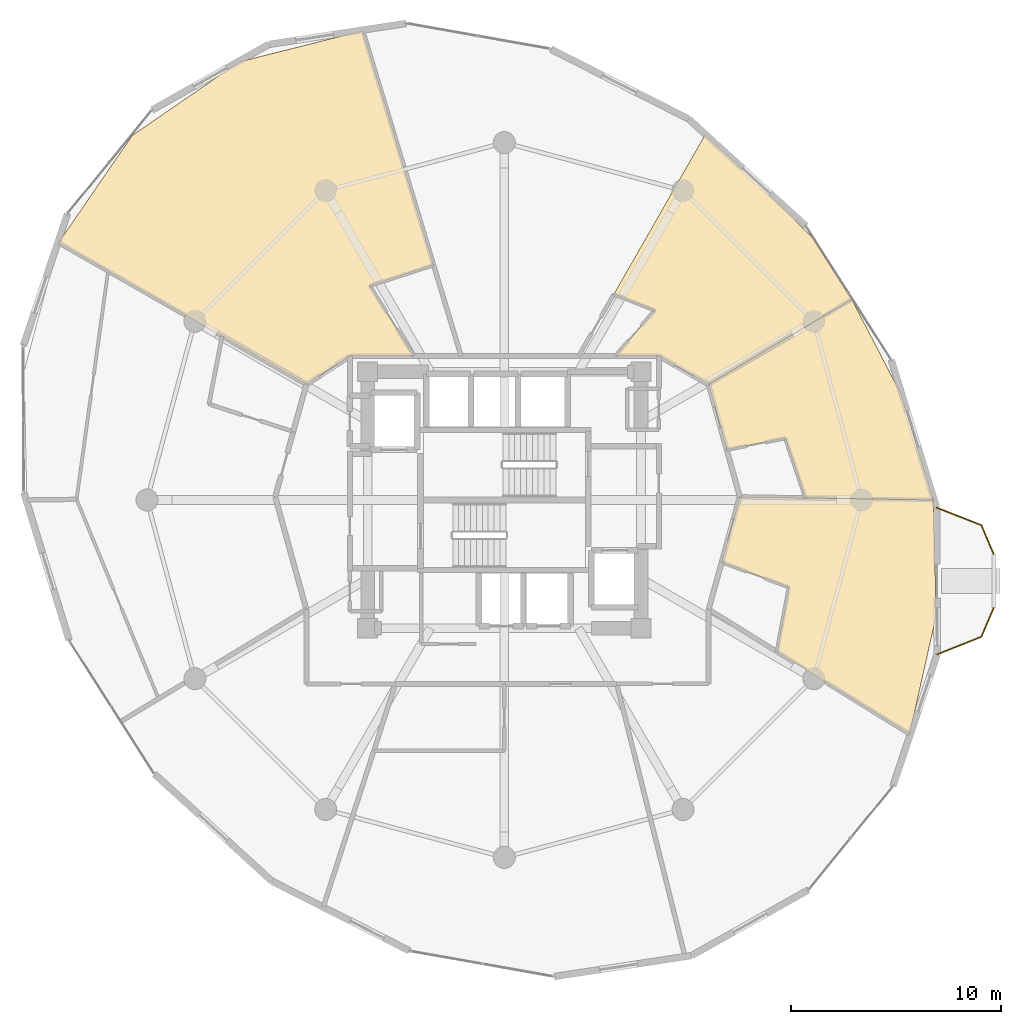
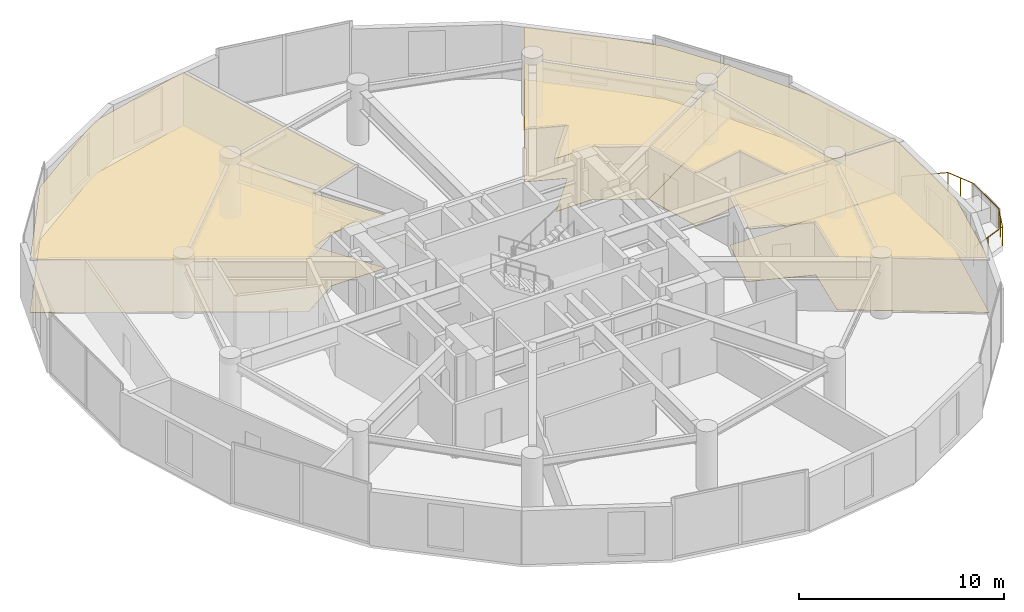
# One storey, part 22 of 22: 8 coverings, 1 railing.
"""IFC4 building model written with IfcOpenShell, lengths in metres."""

from ifc_helpers import new_model, si_unit, direction, frame, origin, origin_2d, place, context, subcontext, project, spatial, polyline, circle, outline, extrude, material, layer, layer_set, type_object, element, save


model = new_model("IFC4")

# Units and contexts
model_context = context("Model", 3, precision=1e-05, world=origin(), true_north=direction((0.0, 1.0)))
body_context = subcontext(model_context, "Body", "Model", "MODEL_VIEW")
ifc_project = project(units=[si_unit("LENGTHUNIT", "METRE"), si_unit("AREAUNIT", "SQUARE_METRE"), si_unit("VOLUMEUNIT", "CUBIC_METRE"), si_unit("PLANEANGLEUNIT", "RADIAN"), si_unit("MASSUNIT", "GRAM", prefix="KILO")], contexts=[model_context])

# Site, building, storey
site_placement = place(None, origin())
site = spatial("IfcSite", under=ifc_project, at=site_placement, CompositionType="ELEMENT")
building_placement = place(site_placement, origin())
building = spatial("IfcBuilding", under=site, at=building_placement, Name="Solvirekh Grand Hotel", CompositionType="ELEMENT")
storey_placement = place(building_placement, frame((0.0, 0.0, 160.199951171875)))
storey = spatial("IfcBuildingStorey", under=building, at=storey_placement, Name="L41", CompositionType="ELEMENT", Elevation=160.199951171875)

# Coverings
ifc_material_1 = material(Name="Acoustic Mineral Ceiling Tile")
ifc_layer_1 = layer(ifc_material_1, 0.02490234375)
ifc_layer_set_1 = layer_set([ifc_layer_1], Name="Acoustic Mineral Ceiling Tile")
covering_type_1 = type_object("IfcCoveringType", Name="Cov_Ceiling_Acoustic", PredefinedType="CEILING", material=ifc_layer_set_1)
covering_1_placement = place(storey_placement, frame((0.0, 0.0, 3.150146484375)))
element("IfcCovering", 1, at=covering_1_placement, inside=storey, type_object=covering_type_1, Name="L41 Deluxe Guestroom 4301 acoustic ceiling", PredefinedType="CEILING", context=body_context, shape_type="SweptSolid", body=[
    extrude(outline(polyline([(3.528076171875, 6.85009765625), (5.212890625, 9.7939453125), (7.1630859375, 9.028076171875), (5.285888671875, 6.85009765625), (7.35009765625, 6.85009765625), (9.719970703125, 5.5), (16.528076171875, 9.5419921875), (14.656982421875, 12.47412109375), (12.19189453125, 14.947998046875), (9.5458984375, 17.364990234375), (3.528076171875, 6.85009765625)])), origin(), (0.0, 0.0, 1.0), 0.017822265625),
])
covering_2_placement = place(storey_placement, frame((0.0, 0.0, 3.150146484375)))
element("IfcCovering", 2, at=covering_2_placement, inside=storey, type_object=covering_type_1, Name="L41 Deluxe Guestroom 4302 acoustic ceiling", PredefinedType="CEILING", context=body_context, shape_type="SweptSolid", body=[
    extrude(outline(polyline([(-4.30810546875, 6.85009765625), (-6.406005859375, 10.194091796875), (-3.368896484375, 11.180908203125), (-2.05810546875, 6.85009765625), (-6.739013671875, 22.319091796875), (-12.6201171875, 20.837890625), (-17.705078125, 17.337890625), (-21.2060546875, 12.243896484375), (-9.419921875, 5.5), (-7.35009765625, 6.85009765625), (-4.30810546875, 6.85009765625)])), origin(), (0.0, 0.0, 1.0), 0.017822265625),
])
covering_3_placement = place(storey_placement, frame((0.0, 0.0, 3.150146484375)))
element("IfcCovering", 3, at=covering_3_placement, inside=storey, type_object=covering_type_1, Name="L41 Deluxe Guestroom 4304 acoustic ceiling", PredefinedType="CEILING", context=body_context, shape_type="SweptSolid", body=[
    extrude(outline(polyline([(13.5419921875, -4.14404296875), (12.969970703125, -7.217041015625), (19.279052734375, -11.131103515625), (20.54296875, -5.5048828125), (20.412109375, 0.0), (11.199951171875, 0.14990234375), (10.342041015625, -2.952880859375), (13.5419921875, -4.14404296875)])), origin(), (0.0, 0.0, 1.0), 0.017822265625),
])
covering_4_placement = place(storey_placement, frame((0.0, 0.0, 3.150146484375)))
element("IfcCovering", 4, at=covering_4_placement, inside=storey, type_object=covering_type_1, Name="L41 Deluxe Guestroom 4305 acoustic ceiling", PredefinedType="CEILING", context=body_context, shape_type="SweptSolid", body=[
    extrude(outline(polyline([(13.366943359375, 2.945068359375), (14.33203125, 0.09912109375), (20.412109375, 0.0), (18.863037109375, 5.053955078125), (16.528076171875, 9.5419921875), (9.719970703125, 5.5), (10.577880859375, 2.39697265625), (13.366943359375, 2.945068359375)])), origin(), (0.0, 0.0, 1.0), 0.017822265625),
])
ifc_material_2 = material(Name="Porcelain Stoneware Flooring", Category="masonry")
ifc_layer_2 = layer(ifc_material_2, 0.030029296875)
ifc_layer_set_2 = layer_set([ifc_layer_2], Name="Porcelain Stoneware Flooring")
covering_type_2 = type_object("IfcCoveringType", Name="Cov_Floor_Stone", PredefinedType="FLOORING", material=ifc_layer_set_2)
covering_5_placement = place(storey_placement, origin())
element("IfcCovering", 5, at=covering_5_placement, inside=storey, type_object=covering_type_2, Name="L41 Deluxe Guestroom 4301 polished granite flooring", PredefinedType="FLOORING", context=body_context, shape_type="SweptSolid", body=[
    extrude(outline(polyline([(3.528076171875, 6.85009765625), (5.212890625, 9.7939453125), (7.1630859375, 9.028076171875), (5.285888671875, 6.85009765625), (7.35009765625, 6.85009765625), (9.719970703125, 5.5), (16.528076171875, 9.5419921875), (14.656982421875, 12.47412109375), (12.19189453125, 14.947998046875), (9.5458984375, 17.364990234375), (3.528076171875, 6.85009765625)])), origin(), (0.0, 0.0, 1.0), 0.02001953125),
])
covering_6_placement = place(storey_placement, origin())
element("IfcCovering", 6, at=covering_6_placement, inside=storey, type_object=covering_type_2, Name="L41 Deluxe Guestroom 4302 polished granite flooring", PredefinedType="FLOORING", context=body_context, shape_type="SweptSolid", body=[
    extrude(outline(polyline([(-4.30810546875, 6.85009765625), (-6.406005859375, 10.194091796875), (-3.368896484375, 11.180908203125), (-2.05810546875, 6.85009765625), (-6.739013671875, 22.319091796875), (-12.6201171875, 20.837890625), (-17.705078125, 17.337890625), (-21.2060546875, 12.243896484375), (-9.419921875, 5.5), (-7.35009765625, 6.85009765625), (-4.30810546875, 6.85009765625)])), origin(), (0.0, 0.0, 1.0), 0.02001953125),
])
covering_7_placement = place(storey_placement, origin())
element("IfcCovering", 7, at=covering_7_placement, inside=storey, type_object=covering_type_2, Name="L41 Deluxe Guestroom 4304 polished granite flooring", PredefinedType="FLOORING", context=body_context, shape_type="SweptSolid", body=[
    extrude(outline(polyline([(13.5419921875, -4.14404296875), (12.969970703125, -7.217041015625), (19.279052734375, -11.131103515625), (20.54296875, -5.5048828125), (20.412109375, 0.0), (11.199951171875, 0.14990234375), (10.342041015625, -2.952880859375), (13.5419921875, -4.14404296875)])), origin(), (0.0, 0.0, 1.0), 0.02001953125),
])
covering_8_placement = place(storey_placement, origin())
element("IfcCovering", 8, at=covering_8_placement, inside=storey, type_object=covering_type_2, Name="L41 Deluxe Guestroom 4305 polished granite flooring", PredefinedType="FLOORING", context=body_context, shape_type="SweptSolid", body=[
    extrude(outline(polyline([(13.366943359375, 2.945068359375), (14.33203125, 0.09912109375), (20.412109375, 0.0), (18.863037109375, 5.053955078125), (16.528076171875, 9.5419921875), (9.719970703125, 5.5), (10.577880859375, 2.39697265625), (13.366943359375, 2.945068359375)])), origin(), (0.0, 0.0, 1.0), 0.02001953125),
])

# Railing
ifc_material_3 = material(Name="Anodized Bronze Aluminium 6063-T6", Category="aluminium")
railing_type = type_object("IfcRailingType", Name="Guard_ExtGlass_1150", PredefinedType="BALUSTRADE", material=ifc_material_3)
railing_placement = place(storey_placement, frame((20.589111328125, -7.347900390625, 0.0)))
element("IfcRailing", 9, at=railing_placement, inside=storey, type_object=railing_type, Name="L41 horn perimeter glass balustrade", PredefinedType="BALUSTRADE", context=body_context, shape_type="SweptSolid", body=[
    extrude(circle(Radius=0.02392578125, at=origin_2d()), frame((0.0, 0.0, 1.1259765625), z_axis=(0.928640415431, 0.37098110306, 0.0), x_axis=(-0.37098110306, 0.928640415431, 0.0)), (0.0, 0.0, 1.0), 2.26123046875),
    extrude(circle(Radius=0.02392578125, at=origin_2d()), frame((2.099853515625, 0.8388671875, 1.1259765625), z_axis=(0.39446154408, 0.918912449716, 0.0), x_axis=(-0.918912449716, 0.39446154408, 0.0)), (0.0, 0.0, 1.0), 1.521240234375),
    extrude(circle(Radius=0.02392578125, at=origin_2d()), frame((2.699951171875, 2.23681640625, 1.1259765625), z_axis=(0.0, 1.0, 0.0), x_axis=(-1.0, 0.0, 0.0)), (0.0, 0.0, 1.0), 2.51611328125),
    extrude(circle(Radius=0.02392578125, at=origin_2d()), frame((2.699951171875, 4.7529296875, 1.1259765625), z_axis=(-0.39446154408, 0.918912449716, 0.0), x_axis=(-0.918912449716, -0.39446154408, 0.0)), (0.0, 0.0, 1.0), 1.521240234375),
    extrude(circle(Radius=0.02392578125, at=origin_2d()), frame((2.099853515625, 6.15087890625, 1.1259765625), z_axis=(-0.930226216851, 0.36698662848, 0.0), x_axis=(-0.36698662848, -0.930226216851, 0.0)), (0.0, 0.0, 1.0), 2.286376953125),
    extrude(circle(Radius=0.02099609375, at=origin_2d()), origin(), (0.0, 0.0, 1.0), 1.101806640625),
    extrude(circle(Radius=0.02099609375, at=origin_2d()), frame((1.0498046875, 0.41943359375, 0.0)), (0.0, 0.0, 1.0), 1.101806640625),
    extrude(circle(Radius=0.02099609375, at=origin_2d()), frame((2.099853515625, 0.8388671875, 0.0)), (0.0, 0.0, 1.0), 1.101806640625),
    extrude(circle(Radius=0.02099609375, at=origin_2d()), frame((2.39990234375, 1.537841796875, 0.0)), (0.0, 0.0, 1.0), 1.101806640625),
    extrude(circle(Radius=0.02099609375, at=origin_2d()), frame((2.699951171875, 2.23681640625, 0.0)), (0.0, 0.0, 1.0), 1.101806640625),
    extrude(circle(Radius=0.02099609375, at=origin_2d()), frame((2.699951171875, 3.075439453125, 0.0)), (0.0, 0.0, 1.0), 1.101806640625),
    extrude(circle(Radius=0.02099609375, at=origin_2d()), frame((2.699951171875, 3.914306640625, 0.0)), (0.0, 0.0, 1.0), 1.101806640625),
    extrude(circle(Radius=0.02099609375, at=origin_2d()), frame((2.699951171875, 4.7529296875, 0.0)), (0.0, 0.0, 1.0), 1.101806640625),
    extrude(circle(Radius=0.02099609375, at=origin_2d()), frame((2.39990234375, 5.451904296875, 0.0)), (0.0, 0.0, 1.0), 1.101806640625),
    extrude(circle(Radius=0.02099609375, at=origin_2d()), frame((2.099853515625, 6.15087890625, 0.0)), (0.0, 0.0, 1.0), 1.101806640625),
    extrude(circle(Radius=0.02099609375, at=origin_2d()), frame((1.036376953125, 6.5703125, 0.0)), (0.0, 0.0, 1.0), 1.101806640625),
    extrude(circle(Radius=0.02099609375, at=origin_2d()), frame((-0.027099609375, 6.989990234375, 0.0)), (0.0, 0.0, 1.0), 1.101806640625),
])

save(model, "model.ifc")
